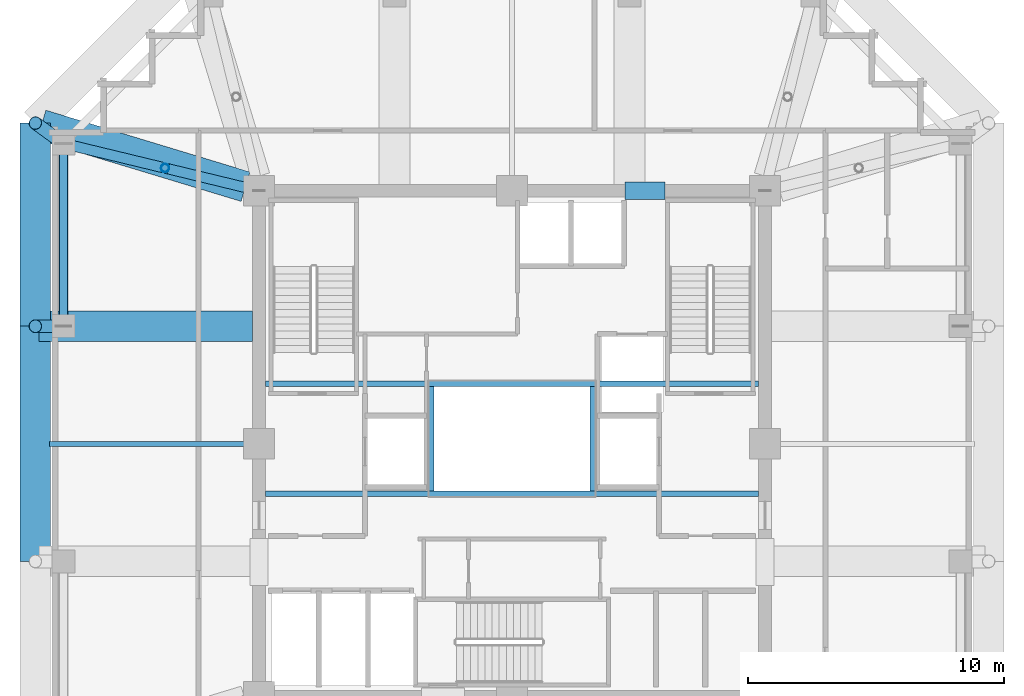
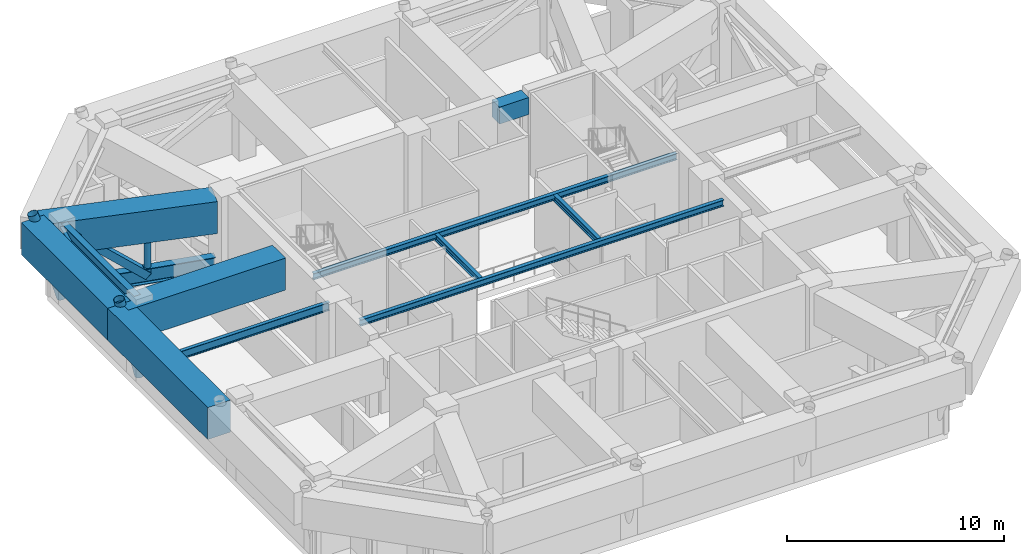
# One storey, part 3 of 12: 12 beams, 5 members.
"""IFC4 building model written with IfcOpenShell, lengths in metres."""

import ifcopenshell
import ifcopenshell.guid

model = None  # the IFC model being written
_history = None  # IfcOwnerHistory: only IFC2X3 demands one
_inside = {}  # id of a spatial element -> (the spatial element, [elements in it])
_under = {}  # id of a project, library or spatial element -> (it, [spatial elements below it])
_declared = {}  # id of a project -> (the project, [libraries it declares])
_typed = {}  # id of a type object -> (the type object, [elements of that type])
_made_of = {}  # id of a material, layer set ... -> (it, [elements and type objects made of it])


def new_model(schema):
    """Start an empty IFC model of exactly this schema.

    Asked for "IFC4X3", IfcOpenShell would pick the latest addendum, in which some entities
    have other attributes; the version numbers below select the first issue.
    IFC2X3 requires an IfcOwnerHistory on every rooted entity: one is made here for all.
    """
    global model, _history
    if schema == "IFC4X3":
        model = ifcopenshell.file(schema_version=(4, 3, 0, 0))
    else:
        model = ifcopenshell.file(schema=schema)
    _inside.clear()
    _under.clear()
    _declared.clear()
    _typed.clear()
    _made_of.clear()
    _history = None
    if model.schema == "IFC2X3":
        org = make("IfcOrganization", Name="unknown")
        user = make(
            "IfcPersonAndOrganization",
            ThePerson=make("IfcPerson", FamilyName="unknown"),
            TheOrganization=org,
        )
        app = make(
            "IfcApplication",
            ApplicationDeveloper=org,
            Version="unknown",
            ApplicationFullName="unknown",
            ApplicationIdentifier="unknown",
        )
        _history = make(
            "IfcOwnerHistory",
            OwningUser=user,
            OwningApplication=app,
            ChangeAction="ADDED",
            CreationDate=0,
        )
    return model


def make(cls, **values):
    """One entity of the class cls with the attributes given. An attribute that is None is left unset."""
    return model.create_entity(
        cls, **{name: value for name, value in values.items() if value is not None}
    )


def rooted(cls, **values):
    """An entity with a GlobalId (a new one), such as an element, a storey or a relation."""
    return make(cls, GlobalId=ifcopenshell.guid.new(), OwnerHistory=_history, **values)


def si_unit(unit_type, name, prefix=None):
    """IfcSIUnit, for example si_unit("LENGTHUNIT", "METRE", prefix="MILLI")."""
    return make("IfcSIUnit", UnitType=unit_type, Prefix=prefix, Name=name)


def assignment(units):
    """IfcUnitAssignment: the units of a project."""
    return None if units is None else make("IfcUnitAssignment", Units=units)


def point(xyz):
    """IfcCartesianPoint."""
    return None if xyz is None else make("IfcCartesianPoint", Coordinates=xyz)


def direction(xyz):
    """IfcDirection."""
    return None if xyz is None else make("IfcDirection", DirectionRatios=xyz)


def frame(location, z_axis=None, x_axis=None):
    """IfcAxis2Placement3D, a coordinate frame: its origin and axes. An axis left out is left unset."""
    return make(
        "IfcAxis2Placement3D",
        Location=point(location),
        Axis=direction(z_axis),
        RefDirection=direction(x_axis),
    )


def frame_2d(location, x_axis=None):
    """IfcAxis2Placement2D, a coordinate frame in the plane: its origin and x axis."""
    return make(
        "IfcAxis2Placement2D", Location=point(location), RefDirection=direction(x_axis)
    )


def origin():
    """The frame at (0, 0, 0) with its axes left unset."""
    return frame((0.0, 0.0, 0.0))


def origin_2d():
    """The frame at (0, 0) in the plane with its x axis left unset."""
    return frame_2d((0.0, 0.0))


def place(relative_to, where):
    """IfcLocalPlacement: puts the frame where relative to a parent placement (None: the world)."""
    return make(
        "IfcLocalPlacement", PlacementRelTo=relative_to, RelativePlacement=where
    )


def context(
    kind, dimensions, precision=None, world=None, true_north=None, identifier=None
):
    """IfcGeometricRepresentationContext, for example the 3D "Model" context."""
    return make(
        "IfcGeometricRepresentationContext",
        ContextIdentifier=identifier,
        ContextType=kind,
        CoordinateSpaceDimension=dimensions,
        Precision=precision,
        WorldCoordinateSystem=world,
        TrueNorth=true_north,
    )


def subcontext(parent, identifier, kind, view, scale=None):
    """IfcGeometricRepresentationSubContext, for example "Body" below "Model"."""
    return make(
        "IfcGeometricRepresentationSubContext",
        ContextIdentifier=identifier,
        ContextType=kind,
        ParentContext=parent,
        TargetScale=scale,
        TargetView=view,
    )


def project(units=None, contexts=None):
    """IfcProject with its units and contexts."""
    return rooted(
        "IfcProject",
        Name="project",
        RepresentationContexts=contexts,
        UnitsInContext=assignment(units),
    )


def spatial(cls, under=None, at=None, **own):
    """A site, building, storey or space (cls), placed at a placement, below another one or the project."""
    s = rooted(cls, ObjectPlacement=at, **own)
    if under is not None:
        _under.setdefault(under.id(), (under, []))[1].append(s)
    return s


def profile(cls, at=None, kind="AREA", **sizes):
    """A parametric profile (cls). Its sizes go by their IFC names, for example OverallWidth=200.0."""
    return make(cls, ProfileType=kind, Position=at, **sizes)


def rectangle(**sizes):
    """IfcRectangleProfileDef."""
    return profile("IfcRectangleProfileDef", **sizes)


def hollow_rectangle(**sizes):
    """IfcRectangleHollowProfileDef."""
    return profile("IfcRectangleHollowProfileDef", **sizes)


def hollow_circle(**sizes):
    """IfcCircleHollowProfileDef."""
    return profile("IfcCircleHollowProfileDef", **sizes)


def i_section(**sizes):
    """IfcIShapeProfileDef."""
    return profile("IfcIShapeProfileDef", **sizes)


def extrude(swept, where, along, depth):
    """IfcExtrudedAreaSolid: the profile swept, set in the frame where, extruded along a direction by depth."""
    return make(
        "IfcExtrudedAreaSolid",
        SweptArea=swept,
        Position=where,
        ExtrudedDirection=direction(along),
        Depth=depth,
    )


def shape(context_of_items, identifier, shape_type, items):
    """IfcShapeRepresentation: the items that make up one representation, for example the "Body"."""
    return make(
        "IfcShapeRepresentation",
        ContextOfItems=context_of_items,
        RepresentationIdentifier=identifier,
        RepresentationType=shape_type,
        Items=items,
    )


def material(Name=None, Category=None):
    """IfcMaterial."""
    return make("IfcMaterial", Name=Name, Category=Category)


def material_profile(
    of_material, cross_section, Name=None, Category=None, Priority=None
):
    """IfcMaterialProfile: a cross section and its material."""
    return make(
        "IfcMaterialProfile",
        Name=Name,
        Material=of_material,
        Profile=cross_section,
        Priority=Priority,
        Category=Category,
    )


def profile_set(profiles, Name=None, composite=None):
    """IfcMaterialProfileSet."""
    return make(
        "IfcMaterialProfileSet",
        Name=Name,
        MaterialProfiles=profiles,
        CompositeProfile=composite,
    )


def made_of(thing, what):
    """Note that an element or type object is made of a material, layer set ...; save() writes the relation."""
    if what is not None:
        _made_of.setdefault(what.id(), (what, []))[1].append(thing)
    return thing


def type_object(cls, material=None, **own):
    """A type object (cls), such as IfcWallType, which elements share."""
    return made_of(rooted(cls, **own), material)


def element(
    cls,
    number,
    at=None,
    inside=None,
    cuts=None,
    type_object=None,
    material=None,
    context=None,
    identifier="Body",
    shape_type=None,
    held_by="IfcProductDefinitionShape",
    body=None,
    shapes=None,
    **own,
):
    """One element of the class cls, such as IfcWall. Its Tag is "e" and its number.

    at: its placement. inside: the storey or other place that contains it. cuts: it is an
    opening in that element (IfcRelVoidsElement). A single representation is given by context,
    identifier, shape_type and body (its items); several are given by shapes. held_by: the class
    of the entity that holds the representations. save() writes the other relations.
    """
    e = rooted(cls, Tag="e%d" % number, ObjectPlacement=at, **own)
    if body is not None:
        shapes = [shape(context, identifier, shape_type, body)]
    if shapes is not None:
        e.Representation = make(held_by, Representations=shapes)
    if inside is not None:
        _inside.setdefault(inside.id(), (inside, []))[1].append(e)
    if cuts is not None:
        rooted(
            "IfcRelVoidsElement", RelatingBuildingElement=cuts, RelatedOpeningElement=e
        )
    if type_object is not None:
        _typed.setdefault(type_object.id(), (type_object, []))[1].append(e)
    return made_of(e, material)


def aggregate(whole, parts):
    """IfcRelAggregates: a whole, such as a stair, and the parts it consists of."""
    return rooted("IfcRelAggregates", RelatingObject=whole, RelatedObjects=parts)


def save(model, path):
    """Write the relations noted so far, then the file.

    IfcRelAggregates (storeys below a building ...), IfcRelContainedInSpatialStructure (elements
    in a storey), IfcRelDefinesByType, IfcRelAssociatesMaterial and IfcRelDeclares: one each for
    every whole, place, type object, material and project.
    """
    for whole, parts in _under.values():
        aggregate(whole, parts)
    for where, things in _inside.values():
        rooted(
            "IfcRelContainedInSpatialStructure",
            RelatedElements=things,
            RelatingStructure=where,
        )
    for kind, things in _typed.values():
        rooted("IfcRelDefinesByType", RelatedObjects=things, RelatingType=kind)
    for what, things in _made_of.values():
        rooted("IfcRelAssociatesMaterial", RelatedObjects=things, RelatingMaterial=what)
    for by, libraries in _declared.values():
        rooted("IfcRelDeclares", RelatingContext=by, RelatedDefinitions=libraries)
    model.write(path)


model = new_model("IFC4")

# Units and contexts
model_context = context("Model", 3, precision=1e-05, world=origin(), true_north=direction((0.0, 1.0)))
body_context = subcontext(model_context, "Body", "Model", "MODEL_VIEW")
ifc_project = project(units=[si_unit("LENGTHUNIT", "METRE"), si_unit("AREAUNIT", "SQUARE_METRE"), si_unit("VOLUMEUNIT", "CUBIC_METRE"), si_unit("PLANEANGLEUNIT", "RADIAN"), si_unit("MASSUNIT", "GRAM", prefix="KILO")], contexts=[model_context])

# Site, building, storey
site_placement = place(None, origin())
site = spatial("IfcSite", under=ifc_project, at=site_placement, CompositionType="ELEMENT")
building_placement = place(site_placement, origin())
building = spatial("IfcBuilding", under=site, at=building_placement, Name="Kolvaren Belvedere", CompositionType="ELEMENT")
storey_placement = place(building_placement, frame((0.0, 0.0, 148.10009765625)))
storey = spatial("IfcBuildingStorey", under=building, at=storey_placement, Name="L43", CompositionType="ELEMENT", Elevation=148.10009765625)

# Beams
ifc_material_1 = material(Name="Structural steel ASTM A992 Grade 50", Category="steel")
ifc_material_profile_1 = material_profile(ifc_material_1, i_section(OverallWidth=0.2041015625, OverallDepth=0.35009765625, WebThickness=0.008544921875, FlangeThickness=0.01513671875, FilletRadius=0.013916015625, at=origin_2d()), Name="W14X48")
ifc_profile_set_1 = profile_set([ifc_material_profile_1], Name="Structural steel ASTM A992 Grade 50")
beam_type_1 = type_object("IfcBeamType", Name="BM-ATRIUM-W14X48", PredefinedType="BEAM", material=ifc_profile_set_1)
for number, where, z_axis, x_axis, name in (
    (1, (-9.64990234375, -1.949951171875, 4.125), (1.0, 0.0, 0.0), (0.0, 1.0, 0.0), "L43 Central Atrium South Girder AS"),
    (2, (-9.64990234375, 2.35009765625, 4.125), (1.0, 0.0, 0.0), (0.0, 1.0, 0.0), "L43 Central Atrium North Girder AN"),
):
    element("IfcBeam", number, at=place(storey_placement, frame(where, z_axis=z_axis, x_axis=x_axis)), inside=storey, type_object=beam_type_1, Name=name, PredefinedType="BEAM", context=body_context, shape_type="SweptSolid", body=[
        extrude(i_section(OverallWidth=0.2041015625, OverallDepth=0.35009765625, WebThickness=0.008544921875, FlangeThickness=0.01513671875, FilletRadius=0.013916015625, at=origin_2d()), origin(), (0.0, 0.0, 1.0), 19.2998046875),
    ])
for number, where, z_axis, x_axis, name in (
    (3, (-3.14990234375, -1.840087890625, 4.125), (0.0, 1.0, 0.0), (-1.0, 0.0, 0.0), "L43 Central Atrium West Edge Beam AW"),
    (4, (3.14990234375, -1.840087890625, 4.125), (0.0, 1.0, 0.0), (-1.0, 0.0, 0.0), "L43 Central Atrium East Edge Beam AE"),
):
    element("IfcBeam", number, at=place(storey_placement, frame(where, z_axis=z_axis, x_axis=x_axis)), inside=storey, type_object=beam_type_1, Name=name, PredefinedType="BEAM", context=body_context, shape_type="SweptSolid", body=[
        extrude(i_section(OverallWidth=0.2041015625, OverallDepth=0.35009765625, WebThickness=0.008544921875, FlangeThickness=0.01513671875, FilletRadius=0.013916015625, at=origin_2d()), origin(), (0.0, 0.0, 1.0), 4.080078125),
    ])
ifc_material_2 = material(Name="Structural steel ASTM A992 Grade 50", Category="steel")
ifc_material_profile_2 = material_profile(ifc_material_2, i_section(OverallWidth=0.39990234375, OverallDepth=0.85595703125, WebThickness=0.018310546875, FlangeThickness=0.029296875, FilletRadius=0.02490234375, at=origin_2d()), Name="W33X201")
ifc_profile_set_2 = profile_set([ifc_material_profile_2], Name="Structural steel ASTM A992 Grade 50")
beam_type_2 = type_object("IfcBeamType", Name="BM-GIRD-W33X201", PredefinedType="BEAM", material=ifc_profile_set_2)
beam_1_placement = place(storey_placement, frame((-10.4345703125, 10.029296875, 0.47998046875), z_axis=(-0.971980384182, 0.235061976433, 0.0), x_axis=(-0.235061976433, -0.971980384182, 0.0)))
element("IfcBeam", 5, at=beam_1_placement, inside=storey, type_object=beam_type_2, Name="L43 Outrigger Truss Bottom Chord OB-8", PredefinedType="BEAM", context=body_context, shape_type="SweptSolid", body=[
    extrude(i_section(OverallWidth=0.39990234375, OverallDepth=0.85595703125, WebThickness=0.018310546875, FlangeThickness=0.029296875, FilletRadius=0.02490234375, at=origin_2d()), origin(), (0.0, 0.0, 1.0), 6.87060546875),
])
ifc_material_3 = material(Name="Structural steel ASTM A992 Grade 50", Category="steel")
ifc_material_profile_3 = material_profile(ifc_material_3, i_section(OverallWidth=0.19091796875, OverallDepth=0.4599609375, WebThickness=0.010009765625, FlangeThickness=0.01611328125, FilletRadius=0.014892578125, at=origin_2d()), Name="W18X55")
ifc_profile_set_3 = profile_set([ifc_material_profile_3], Name="Structural steel ASTM A992 Grade 50")
beam_type_3 = type_object("IfcBeamType", Name="BM-JOIST-W18X55", PredefinedType="BEAM", material=ifc_profile_set_3)
beam_2_placement = place(storey_placement, frame((-10.14990234375, 0.0, 4.06982421875), z_axis=(-1.0, 0.0, 0.0), x_axis=(0.0, -1.0, 0.0)))
element("IfcBeam", 6, at=beam_2_placement, inside=storey, type_object=beam_type_3, Name="L43 West Centre Floor Beam", PredefinedType="BEAM", context=body_context, shape_type="SweptSolid", body=[
    extrude(i_section(OverallWidth=0.19091796875, OverallDepth=0.4599609375, WebThickness=0.010009765625, FlangeThickness=0.01611328125, FilletRadius=0.014892578125, at=origin_2d()), origin(), (0.0, 0.0, 1.0), 7.9501953125),
])
ifc_material_4 = material(Name="Concrete C60/75", Category="concrete")
ifc_material_profile_4 = material_profile(ifc_material_4, rectangle(XDim=0.699951171875, YDim=0.949951171875, at=origin_2d()), Name="RC 700X950")
ifc_profile_set_4 = profile_set([ifc_material_profile_4], Name="Concrete C60/75")
beam_type_4 = type_object("IfcBeamType", Name="BM-LINT-950", PredefinedType="LINTEL", material=ifc_profile_set_4)
beam_3_placement = place(storey_placement, frame((4.419921875, 9.89990234375, 3.824951171875), z_axis=(1.0, 0.0, 0.0), x_axis=(0.0, 1.0, 0.0)))
element("IfcBeam", 7, at=beam_3_placement, inside=storey, type_object=beam_type_4, Name="L43 North Core Coupling Lintel", PredefinedType="LINTEL", context=body_context, shape_type="SweptSolid", body=[
    extrude(rectangle(XDim=0.699951171875, YDim=0.949951171875, at=origin_2d()), origin(), (0.0, 0.0, 1.0), 1.56005859375),
])
ifc_material_5 = material(Name="Structural steel ASTM A992 Grade 50", Category="steel")
ifc_material_profile_5 = material_profile(ifc_material_5, i_section(OverallWidth=0.324951171875, OverallDepth=0.615966796875, WebThickness=0.013916015625, FlangeThickness=0.021484375, FilletRadius=0.02001953125, at=origin_2d()), Name="W24X117")
ifc_profile_set_5 = profile_set([ifc_material_profile_5], Name="Structural steel ASTM A992 Grade 50")
beam_type_5 = type_object("IfcBeamType", Name="BM-SPAN-W24X117", PredefinedType="SPANDREL", material=ifc_profile_set_5)
beam_4_placement = place(storey_placement, frame((-17.550048828125, 11.547607421875, 3.991943359375), z_axis=(0.0, -1.0, 0.0), x_axis=(1.0, 0.0, 0.0)))
element("IfcBeam", 8, at=beam_4_placement, inside=storey, type_object=beam_type_5, Name="L43 Perimeter Spandrel W4-W3", PredefinedType="SPANDREL", context=body_context, shape_type="SweptSolid", body=[
    extrude(i_section(OverallWidth=0.324951171875, OverallDepth=0.615966796875, WebThickness=0.013916015625, FlangeThickness=0.021484375, FilletRadius=0.02001953125, at=origin_2d()), origin(), (0.0, 0.0, 1.0), 6.7451171875),
])
ifc_material_6 = material(Name="Concrete C50/60", Category="concrete")
ifc_material_profile_6 = material_profile(ifc_material_6, rectangle(XDim=1.199951171875, YDim=1.800048828125, at=origin_2d()), Name="RC 1200X1800")
ifc_profile_set_6 = profile_set([ifc_material_profile_6], Name="Concrete C50/60")
beam_type_6 = type_object("IfcBeamType", Name="BM-TG-1800", PredefinedType="BEAM", material=ifc_profile_set_6)
beam_5_placement = place(storey_placement, frame((-18.64990234375, 12.550048828125, 3.39990234375), z_axis=(0.0, -1.0, 0.0), x_axis=(1.0, 0.0, 0.0)))
element("IfcBeam", 9, at=beam_5_placement, inside=storey, type_object=beam_type_6, Name="L43 Step Transfer Ring Girder W4-W3", PredefinedType="BEAM", context=body_context, shape_type="SweptSolid", body=[
    extrude(rectangle(XDim=1.199951171875, YDim=1.800048828125, at=origin_2d()), origin(), (0.0, 0.0, 1.0), 7.949951171875),
])
beam_6_placement = place(storey_placement, frame((-18.64990234375, 4.60009765625, 3.39990234375), z_axis=(0.0, -1.0, 0.0), x_axis=(1.0, 0.0, 0.0)))
element("IfcBeam", 10, at=beam_6_placement, inside=storey, type_object=beam_type_6, Name="L43 Step Transfer Ring Girder W3-W2", PredefinedType="BEAM", context=body_context, shape_type="SweptSolid", body=[
    extrude(rectangle(XDim=1.199951171875, YDim=1.800048828125, at=origin_2d()), origin(), (0.0, 0.0, 1.0), 9.2001953125),
])
beam_7_placement = place(storey_placement, frame((-10.14990234375, 4.60009765625, 3.39990234375), z_axis=(-1.0, 0.0, 0.0), x_axis=(0.0, -1.0, 0.0)))
element("IfcBeam", 11, at=beam_7_placement, inside=storey, type_object=beam_type_6, Name="L43 West Radial Girder P", PredefinedType="BEAM", context=body_context, shape_type="SweptSolid", body=[
    extrude(rectangle(XDim=1.199951171875, YDim=1.800048828125, at=origin_2d()), origin(), (0.0, 0.0, 1.0), 8.35009765625),
])
beam_8_placement = place(storey_placement, frame((-10.426513671875, 10.059326171875, 3.39990234375), z_axis=(-0.957065007195, 0.289873372359, 0.0), x_axis=(-0.289873372359, -0.957065007195, 0.0)))
element("IfcBeam", 12, at=beam_8_placement, inside=storey, type_object=beam_type_6, Name="L43 Corner Core-to-Perimeter Girder CC4-W4", PredefinedType="BEAM", context=body_context, shape_type="SweptSolid", body=[
    extrude(rectangle(XDim=1.199951171875, YDim=1.800048828125, at=origin_2d()), origin(), (0.0, 0.0, 1.0), 8.34228515625),
])

# Members
ifc_material_7 = material(Name="Structural steel ASTM A500 Grade C", Category="steel")
ifc_material_profile_7 = material_profile(ifc_material_7, hollow_rectangle(XDim=0.35595703125, YDim=0.35595703125, WallThickness=0.01171875, at=origin_2d()), Name="HSS14X14X1/2")
ifc_profile_set_7 = profile_set([ifc_material_profile_7], Name="Structural steel ASTM A500 Grade C")
member_type_1 = type_object("IfcMemberType", Name="MB-BELT-BRACE", PredefinedType="BRACE", material=ifc_profile_set_7)
member_1_placement = place(storey_placement, frame((-17.550048828125, 4.60009765625, 0.47998046875), z_axis=(0.0, 0.899648500227, 0.436614905884), x_axis=(-1.0, 0.0, 0.0)))
element("IfcMember", 13, at=member_1_placement, inside=storey, type_object=member_type_1, Name="L43 Perimeter Belt Truss Brace BT-6", PredefinedType="BRACE", context=body_context, shape_type="SweptSolid", body=[
    extrude(hollow_rectangle(XDim=0.35595703125, YDim=0.35595703125, WallThickness=0.01171875, at=origin_2d()), origin(), (0.0, 0.0, 1.0), 7.947509765625),
])
ifc_material_8 = material(Name="Structural steel ASTM A500 Grade C", Category="steel")
ifc_material_profile_8 = material_profile(ifc_material_8, hollow_circle(Radius=0.162109375, WallThickness=0.01171875, at=origin_2d()), Name="HSS12.750X0.500")
ifc_profile_set_8 = profile_set([ifc_material_profile_8], Name="Structural steel ASTM A500 Grade C")
member_type_2 = type_object("IfcMemberType", Name="MB-CAN-POST", PredefinedType="POST", material=ifc_profile_set_8)
member_2_placement = place(storey_placement, frame((-13.572021484375, 10.7880859375, 0.47998046875), z_axis=(0.0, 0.0, 1.0), x_axis=(1.0, 0.0, 0.0)))
element("IfcMember", 14, at=member_2_placement, inside=storey, type_object=member_type_2, Name="L43 Outrigger Portal Post OP-8", PredefinedType="POST", context=body_context, shape_type="SweptSolid", body=[
    extrude(hollow_circle(Radius=0.162109375, WallThickness=0.01171875, at=origin_2d()), origin(), (0.0, 0.0, 1.0), 3.469970703125),
])
ifc_material_9 = material(Name="Structural steel ASTM A500 Grade C", Category="steel")
ifc_material_profile_9 = material_profile(ifc_material_9, hollow_rectangle(XDim=0.406005859375, YDim=0.406005859375, WallThickness=0.014892578125, at=origin_2d()), Name="HSS16X16X5/8")
ifc_profile_set_9 = profile_set([ifc_material_profile_9], Name="Structural steel ASTM A500 Grade C")
member_type_3 = type_object("IfcMemberType", Name="MB-OUTRIGGER", PredefinedType="BRACE", material=ifc_profile_set_9)
member_3_placement = place(storey_placement, frame((-13.572021484375, 10.7880859375, 0.47998046875), z_axis=(-0.741381639136, 0.179271121775, 0.646695546645), x_axis=(-0.235033151904, -0.971987354602, 0.0)))
element("IfcMember", 15, at=member_3_placement, inside=storey, type_object=member_type_3, Name="L43 Outrigger Truss Diagonal OT-8A", PredefinedType="BRACE", context=body_context, shape_type="SweptSolid", body=[
    extrude(hollow_rectangle(XDim=0.406005859375, YDim=0.406005859375, WallThickness=0.014892578125, at=origin_2d()), origin(), (0.0, 0.0, 1.0), 5.36572265625),
])
ifc_material_10 = material(Name="Structural steel ASTM A500 Grade C", Category="steel")
ifc_material_profile_10 = material_profile(ifc_material_10, hollow_circle(Radius=0.25390625, WallThickness=0.01171875, at=origin_2d()), Name="HSS20.000X0.500")
ifc_profile_set_10 = profile_set([ifc_material_profile_10], Name="Structural steel ASTM A500 Grade C")
member_type_4 = type_object("IfcMemberType", Name="MB-WAIST-STRUT", PredefinedType="STRUT", material=ifc_profile_set_10)
member_4_placement = place(storey_placement, frame((-17.550048828125, 4.60009765625, 0.0), z_axis=(-0.232550921911, 0.0, 0.972584221915), x_axis=(0.0, -1.0, 0.0)))
element("IfcMember", 16, at=member_4_placement, inside=storey, type_object=member_type_4, Name="L43 Inclined Waist Transition Strut W3", PredefinedType="STRUT", context=body_context, shape_type="SweptSolid", body=[
    extrude(hollow_circle(Radius=0.25390625, WallThickness=0.01171875, at=origin_2d()), origin(), (0.0, 0.0, 1.0), 4.7294921875),
])
member_5_placement = place(storey_placement, frame((-17.550048828125, 11.75, 0.0), z_axis=(-0.229293403104, 0.166791227963, 0.958960490097), x_axis=(-0.58824640914, -0.808681743416, 0.0)))
element("IfcMember", 17, at=member_5_placement, inside=storey, type_object=member_type_4, Name="L43 Inclined Waist Transition Strut W4", PredefinedType="STRUT", context=body_context, shape_type="SweptSolid", body=[
    extrude(hollow_circle(Radius=0.25390625, WallThickness=0.01171875, at=origin_2d()), origin(), (0.0, 0.0, 1.0), 4.796630859375),
])

save(model, "model.ifc")
